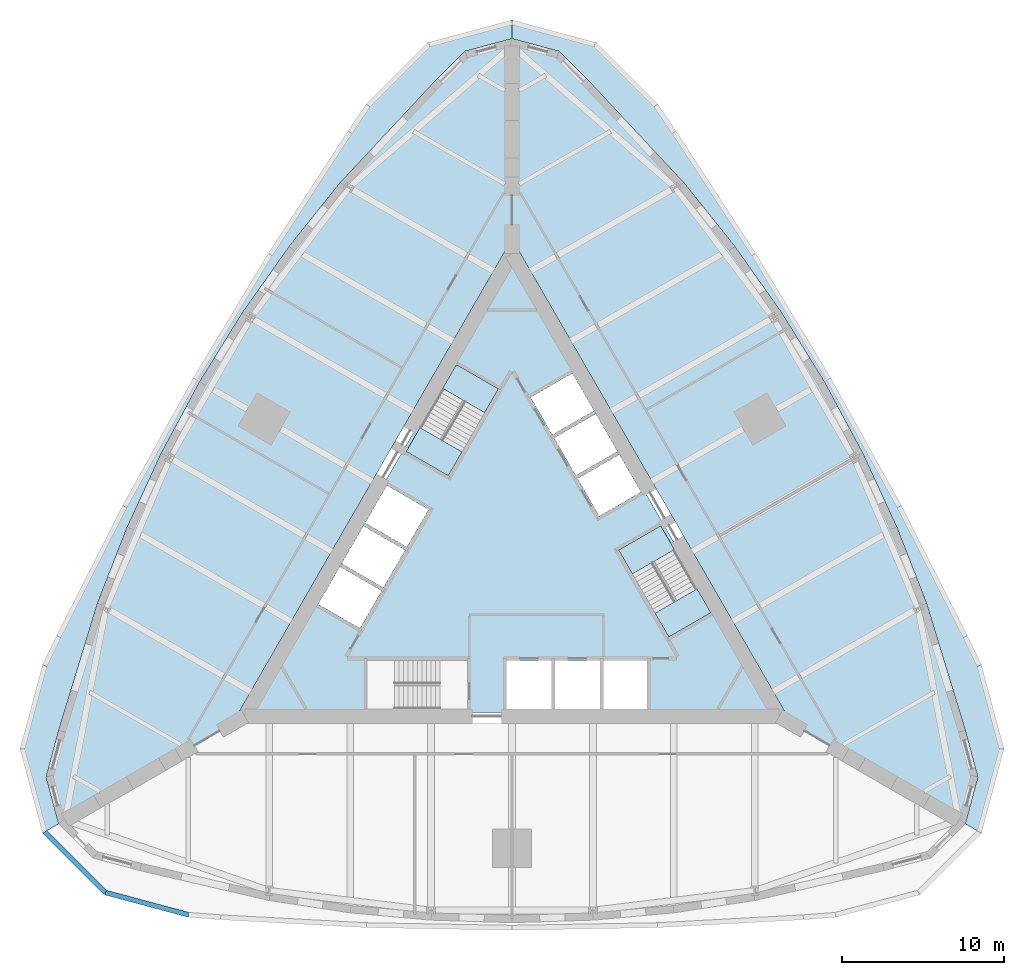
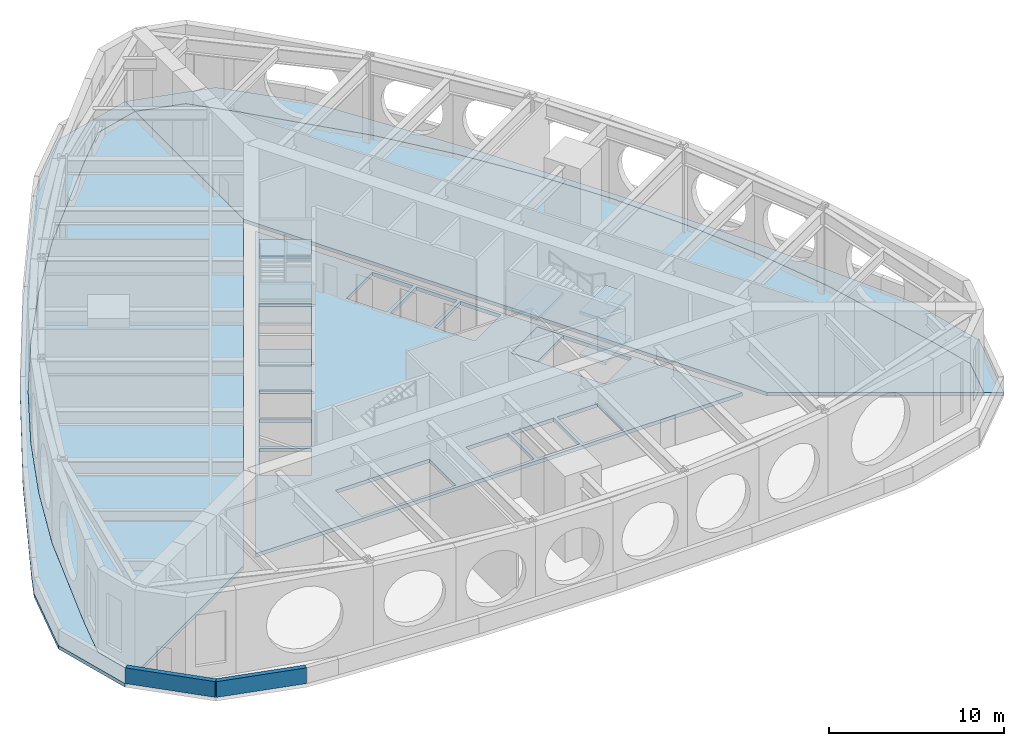
# One storey, part 2 of 8: 13 slabs, 2 walls, 2 elements without a shape of their own.
"""IFC4 building model written with IfcOpenShell, lengths in metres."""

from ifc_helpers import new_model, si_unit, direction, frame, frame_2d, origin, place, context, subcontext, project, spatial, polyline, rectangle, outline, extrude, material, layer, layer_set, type_object, element, aggregate, save


model = new_model("IFC4")

# Units and contexts
model_context = context("Model", 3, precision=1e-05, world=origin(), true_north=direction((0.0, 1.0)))
body_context = subcontext(model_context, "Body", "Model", "MODEL_VIEW")
ifc_project = project(units=[si_unit("LENGTHUNIT", "METRE"), si_unit("AREAUNIT", "SQUARE_METRE"), si_unit("VOLUMEUNIT", "CUBIC_METRE"), si_unit("PLANEANGLEUNIT", "RADIAN"), si_unit("MASSUNIT", "GRAM", prefix="KILO")], contexts=[model_context])

# Site, building, storey
site_placement = place(None, origin())
site = spatial("IfcSite", under=ifc_project, at=site_placement, CompositionType="ELEMENT")
building_placement = place(site_placement, origin())
building = spatial("IfcBuilding", under=site, at=building_placement, Name="Trikona Tower", CompositionType="ELEMENT")
storey_placement = place(building_placement, frame((0.0, 0.0, 22.5)))
storey = spatial("IfcBuildingStorey", under=building, at=storey_placement, Name="L04", CompositionType="ELEMENT", Elevation=22.5)

# Slabs
ifc_material_1 = material(Name="Concrete f'c 5000 psi lightweight on composite steel deck", Category="concrete")
ifc_layer_1 = layer(ifc_material_1, 0.25)
ifc_layer_set_1 = layer_set([ifc_layer_1], Name="Composite floor slab 250")
slab_type_1 = type_object("IfcSlabType", Name="Composite floor slab 250", PredefinedType="FLOOR", material=ifc_layer_set_1)
slab_1_placement = place(storey_placement, frame((0.0, 0.0, -0.25)))
element("IfcSlab", 1, at=slab_1_placement, inside=storey, type_object=slab_type_1, Name="Floor slab L04 core", PredefinedType="FLOOR", context=body_context, shape_type="SweptSolid", body=[
    extrude(outline(polyline([(-16.06689453125, -9.2763671875), (16.06689453125, -9.2763671875), (0.0, 18.552490234375), (-16.06689453125, -9.2763671875)]), holes=[polyline([(12.285400390625, -3.126220703125), (9.185302734375, 2.2431640625), (6.587158203125, 0.7431640625), (9.687255859375, -4.626220703125), (12.285400390625, -3.126220703125)]), polyline([(8.340087890625, -9.06640625), (8.340087890625, -6.086181640625), (5.659912109375, -6.086181640625), (5.659912109375, -9.06640625), (8.340087890625, -9.06640625)]), polyline([(5.390869140625, 2.835205078125), (7.9716796875, 4.3251953125), (6.631591796875, 6.646240234375), (4.05078125, 5.15625), (5.390869140625, 2.835205078125)]), polyline([(2.600830078125, 7.667724609375), (3.94091796875, 5.3466796875), (6.521484375, 6.8369140625), (5.181640625, 9.15771484375), (2.600830078125, 7.667724609375)]), polyline([(5.43994140625, -6.086181640625), (2.659912109375, -6.086181640625), (2.659912109375, -9.06640625), (5.43994140625, -9.06640625), (5.43994140625, -6.086181640625)]), polyline([(3.731689453125, 11.669189453125), (1.15087890625, 10.17919921875), (2.490966796875, 7.858154296875), (5.071533203125, 9.34814453125), (3.731689453125, 11.669189453125)]), polyline([(-0.340087890625, -6.086181640625), (-0.340087890625, -9.06640625), (2.43994140625, -9.06640625), (2.43994140625, -6.086181640625), (-0.340087890625, -6.086181640625)]), polyline([(-3.435302734375, 12.202392578125), (-6.535400390625, 6.8330078125), (-3.937255859375, 5.3330078125), (-0.837158203125, 10.702392578125), (-3.435302734375, 12.202392578125)]), polyline([(-8.949951171875, -9.076416015625), (-2.75, -9.076416015625), (-2.75, -6.076416015625), (-8.949951171875, -6.076416015625), (-8.949951171875, -9.076416015625)]), polyline([(-5.15087890625, 3.2509765625), (-7.731689453125, 4.740966796875), (-9.071533203125, 2.419921875), (-6.490966796875, 0.929931640625), (-5.15087890625, 3.2509765625)]), polyline([(-7.94091796875, -1.581298828125), (-6.600830078125, 0.739501953125), (-9.181640625, 2.2294921875), (-10.521484375, -0.09130859375), (-7.94091796875, -1.581298828125)]), polyline([(-11.9716796875, -2.602783203125), (-9.390869140625, -4.093017578125), (-8.05078125, -1.77197265625), (-10.631591796875, -0.281982421875), (-11.9716796875, -2.602783203125)])]), origin(), (0.0, 0.0, 1.0), 0.25),
])
slab_2_placement = place(storey_placement, frame((0.0, 0.0, -0.25)))
element("IfcSlab", 2, at=slab_2_placement, inside=storey, type_object=slab_type_1, Name="Floor slab L04 north-east", PredefinedType="FLOOR", context=body_context, shape_type="SweptSolid", body=[
    extrude(outline(polyline([(2.88671875, 31.55810546875), (0.0, 32.33154296875), (0.0, 19.95263671875), (17.279296875, -9.976318359375), (28.0, -16.165771484375), (28.7734375, -13.279052734375), (28.0, -10.392333984375), (25.6025390625, -2.538818359375), (23.761474609375, 2.171630859375), (21.65673828125, 6.72998046875), (19.28857421875, 11.13623046875), (16.65673828125, 15.390380859375), (13.761474609375, 19.4921875), (10.6025390625, 23.44189453125), (5.0, 29.44482421875), (2.88671875, 31.55810546875)])), origin(), (0.0, 0.0, 1.0), 0.25),
])
slab_3_placement = place(storey_placement, frame((0.0, 0.0, -0.25)))
element("IfcSlab", 3, at=slab_3_placement, inside=storey, type_object=slab_type_1, Name="Floor slab L04 north-west", PredefinedType="FLOOR", context=body_context, shape_type="SweptSolid", body=[
    extrude(outline(polyline([(0.0, 19.95263671875), (0.0, 32.33154296875), (-2.88671875, 31.55810546875), (-5.0, 29.44482421875), (-10.6025390625, 23.44189453125), (-13.761474609375, 19.4921875), (-16.65673828125, 15.390380859375), (-19.28857421875, 11.13623046875), (-21.65673828125, 6.72998046875), (-23.761474609375, 2.171630859375), (-25.6025390625, -2.538818359375), (-28.0, -10.392333984375), (-28.7734375, -13.279052734375), (-28.0, -16.165771484375), (-17.279296875, -9.976318359375), (0.0, 19.95263671875)])), origin(), (0.0, 0.0, 1.0), 0.25),
])

# Stair, slabs
ifc_material_2 = material(Name="Concrete f'c 5000 psi", Category="concrete")
stair_type = type_object("IfcStairType", Name="Core stair", PredefinedType="HALF_TURN_STAIR", material=ifc_material_2)
stair_1_placement = place(storey_placement, origin())
stair_1 = element("IfcStair", 4, at=stair_1_placement, inside=storey, type_object=stair_type, Name="Stair B L04", PredefinedType="HALF_TURN_STAIR")
ifc_material_3 = material(Name="Concrete f'c 5000 psi", Category="concrete")
ifc_layer_2 = layer(ifc_material_3, 0.199951171875)
ifc_layer_set_2 = layer_set([ifc_layer_2], Name="Stair landing 200")
slab_type_2 = type_object("IfcSlabType", Name="Stair landing 200", PredefinedType="LANDING", material=ifc_layer_set_2)
slab_4_placement = place(storey_placement, frame((0.0, 0.0, -0.199951171875)))
slab_4 = element("IfcSlab", 5, at=slab_4_placement, type_object=slab_type_2, Name="ST-B landing 1", PredefinedType="LANDING", context=body_context, shape_type="SweptSolid", body=[
    extrude(outline(polyline([(7.438720703125, -0.731689453125), (6.587158203125, 0.7431640625), (9.185302734375, 2.2431640625), (10.036865234375, 0.768310546875), (7.438720703125, -0.731689453125)])), origin(), (0.0, 0.0, 1.0), 0.199951171875),
])
slab_5_placement = place(storey_placement, frame((0.0, 0.0, 1.300048828125)))
slab_5 = element("IfcSlab", 6, at=slab_5_placement, type_object=slab_type_2, Name="ST-B landing 2", PredefinedType="LANDING", context=body_context, shape_type="SweptSolid", body=[
    extrude(outline(polyline([(9.687255859375, -4.626220703125), (8.835693359375, -3.1513671875), (11.433837890625, -1.6513671875), (12.285400390625, -3.126220703125), (9.687255859375, -4.626220703125)])), origin(), (0.0, 0.0, 1.0), 0.199951171875),
])
slab_6_placement = place(storey_placement, frame((0.0, 0.0, 2.800048828125)))
slab_6 = element("IfcSlab", 7, at=slab_6_placement, type_object=slab_type_2, Name="ST-B landing 3", PredefinedType="LANDING", context=body_context, shape_type="SweptSolid", body=[
    extrude(outline(polyline([(7.438720703125, -0.731689453125), (6.587158203125, 0.7431640625), (9.185302734375, 2.2431640625), (10.036865234375, 0.768310546875), (7.438720703125, -0.731689453125)])), origin(), (0.0, 0.0, 1.0), 0.199951171875),
])
slab_7_placement = place(storey_placement, frame((0.0, 0.0, 4.300048828125)))
slab_7 = element("IfcSlab", 8, at=slab_7_placement, type_object=slab_type_2, Name="ST-B landing 4", PredefinedType="LANDING", context=body_context, shape_type="SweptSolid", body=[
    extrude(outline(polyline([(9.687255859375, -4.626220703125), (8.835693359375, -3.1513671875), (11.433837890625, -1.6513671875), (12.285400390625, -3.126220703125), (9.687255859375, -4.626220703125)])), origin(), (0.0, 0.0, 1.0), 0.199951171875),
])
aggregate(stair_1, [slab_4, slab_5, slab_6, slab_7])

stair_2_placement = place(storey_placement, origin())
stair_2 = element("IfcStair", 9, at=stair_2_placement, inside=storey, type_object=stair_type, Name="Stair C L04", PredefinedType="HALF_TURN_STAIR")
slab_8_placement = place(storey_placement, frame((0.0, 0.0, -0.199951171875)))
slab_8 = element("IfcSlab", 10, at=slab_8_placement, type_object=slab_type_2, Name="ST-C landing 1", PredefinedType="LANDING", context=body_context, shape_type="SweptSolid", body=[
    extrude(outline(polyline([(-3.085693359375, 6.807861328125), (-3.937255859375, 5.3330078125), (-6.535400390625, 6.8330078125), (-5.683837890625, 8.307861328125), (-3.085693359375, 6.807861328125)])), origin(), (0.0, 0.0, 1.0), 0.199951171875),
])
slab_9_placement = place(storey_placement, frame((0.0, 0.0, 1.300048828125)))
slab_9 = element("IfcSlab", 11, at=slab_9_placement, type_object=slab_type_2, Name="ST-C landing 2", PredefinedType="LANDING", context=body_context, shape_type="SweptSolid", body=[
    extrude(outline(polyline([(-0.837158203125, 10.702392578125), (-1.688720703125, 9.2275390625), (-4.286865234375, 10.7275390625), (-3.435302734375, 12.202392578125), (-0.837158203125, 10.702392578125)])), origin(), (0.0, 0.0, 1.0), 0.199951171875),
])
slab_10_placement = place(storey_placement, frame((0.0, 0.0, 2.800048828125)))
slab_10 = element("IfcSlab", 12, at=slab_10_placement, type_object=slab_type_2, Name="ST-C landing 3", PredefinedType="LANDING", context=body_context, shape_type="SweptSolid", body=[
    extrude(outline(polyline([(-3.085693359375, 6.807861328125), (-3.937255859375, 5.3330078125), (-6.535400390625, 6.8330078125), (-5.683837890625, 8.307861328125), (-3.085693359375, 6.807861328125)])), origin(), (0.0, 0.0, 1.0), 0.199951171875),
])
slab_11_placement = place(storey_placement, frame((0.0, 0.0, 4.300048828125)))
slab_11 = element("IfcSlab", 13, at=slab_11_placement, type_object=slab_type_2, Name="ST-C landing 4", PredefinedType="LANDING", context=body_context, shape_type="SweptSolid", body=[
    extrude(outline(polyline([(-0.837158203125, 10.702392578125), (-1.688720703125, 9.2275390625), (-4.286865234375, 10.7275390625), (-3.435302734375, 12.202392578125), (-0.837158203125, 10.702392578125)])), origin(), (0.0, 0.0, 1.0), 0.199951171875),
])
aggregate(stair_2, [slab_8, slab_9, slab_10, slab_11])

# Slabs
ifc_material_4 = material(Name="Concrete f'c 5000 psi on composite steel deck", Category="concrete")
ifc_layer_3 = layer(ifc_material_4, 0.25)
ifc_layer_set_3 = layer_set([ifc_layer_3], Name="Terrace slab 250")
slab_type_3 = type_object("IfcSlabType", Name="Terrace slab 250", PredefinedType="ROOF", material=ifc_layer_set_3)
slab_12_placement = place(storey_placement, frame((0.0, 0.0, -0.25)))
element("IfcSlab", 14, at=slab_12_placement, inside=storey, type_object=slab_type_3, Name="Maintenance roof L04 north-east part 2", PredefinedType="ROOF", context=body_context, shape_type="SweptSolid", body=[
    extrude(outline(polyline([(5.1962890625, 32.093994140625), (0.0, 33.486328125), (0.0, 32.33251953125), (2.887451171875, 31.558837890625), (5.000732421875, 29.445556640625), (10.603271484375, 23.4423828125), (13.76220703125, 19.492919921875), (16.65771484375, 15.390869140625), (19.28955078125, 11.13671875), (21.65771484375, 6.73046875), (23.762451171875, 2.172119140625), (25.603515625, -2.53857421875), (28.0009765625, -10.39208984375), (28.7744140625, -13.27880859375), (28.0009765625, -16.166259765625), (29.0, -16.7431640625), (30.392333984375, -11.547119140625), (29.0, -6.350830078125), (28.131591796875, -4.542724609375), (24.052490234375, 3.494384765625), (19.69287109375, 11.36962890625), (15.052490234375, 19.0830078125), (10.131591796875, 26.634033203125), (9.0, 28.290283203125), (5.1962890625, 32.093994140625)])), origin(), (0.0, 0.0, 1.0), 0.25),
])
slab_13_placement = place(storey_placement, frame((0.0, 0.0, -0.25)))
element("IfcSlab", 15, at=slab_13_placement, inside=storey, type_object=slab_type_3, Name="Maintenance roof L04 north-west part 3", PredefinedType="ROOF", context=body_context, shape_type="SweptSolid", body=[
    extrude(outline(polyline([(-30.392333984375, -11.547119140625), (-29.0, -16.7431640625), (-28.0009765625, -16.166259765625), (-28.7744140625, -13.27880859375), (-28.0009765625, -10.39208984375), (-25.603515625, -2.53857421875), (-23.762451171875, 2.172119140625), (-21.65771484375, 6.73046875), (-19.28955078125, 11.13671875), (-16.65771484375, 15.390869140625), (-13.76220703125, 19.492919921875), (-10.603271484375, 23.4423828125), (-5.000732421875, 29.445556640625), (-2.887451171875, 31.558837890625), (0.0, 32.33251953125), (0.0, 33.486328125), (-5.1962890625, 32.093994140625), (-9.0, 28.290283203125), (-10.131591796875, 26.634033203125), (-15.052490234375, 19.0830078125), (-19.69287109375, 11.36962890625), (-24.052490234375, 3.494384765625), (-28.131591796875, -4.542724609375), (-29.0, -6.350830078125), (-30.392333984375, -11.547119140625)])), origin(), (0.0, 0.0, 1.0), 0.25),
])

# Walls
ifc_material_5 = material(Name="Brick-faced precast concrete", Category="masonry")
ifc_layer_4 = layer(ifc_material_5, 0.300048828125)
ifc_layer_set_4 = layer_set([ifc_layer_4], Name="Parapet wall 300")
wall_type = type_object("IfcWallType", Name="Parapet wall 300", PredefinedType="PARAPET", material=ifc_layer_set_4)
wall_1_placement = place(storey_placement, frame((-19.974609375, -21.790771484375, 0.0), z_axis=(0.0, 0.0, 1.0), x_axis=(-0.965933728026, 0.258789553617, 0.0)))
element("IfcWall", 16, at=wall_1_placement, inside=storey, type_object=wall_type, Name="Parapet L04-00", PredefinedType="PARAPET", context=body_context, shape_type="SweptSolid", body=[
    extrude(rectangle(XDim=5.325439453125, YDim=0.300048828125, at=frame_2d((2.66259765625, 0.0))), origin(), (0.0, 0.0, 1.0), 1.10009765625),
])
wall_2_placement = place(storey_placement, frame((-25.11865234375, -20.41259765625, 0.0), z_axis=(0.0, 0.0, 1.0), x_axis=(-0.707083744265, 0.707129817357, 0.0)))
element("IfcWall", 17, at=wall_2_placement, inside=storey, type_object=wall_type, Name="Parapet L04-01", PredefinedType="PARAPET", context=body_context, shape_type="SweptSolid", body=[
    extrude(rectangle(XDim=5.299072265625, YDim=0.300048828125, at=frame_2d((2.6494140625, 0.0))), origin(), (0.0, 0.0, 1.0), 1.10009765625),
])

save(model, "model.ifc")
